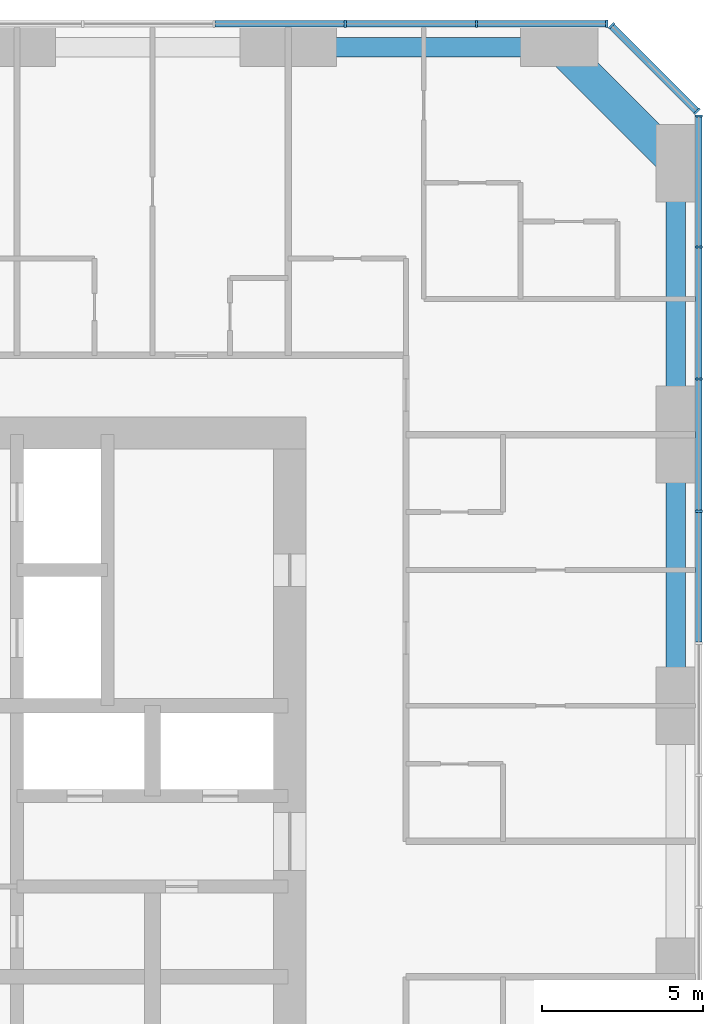
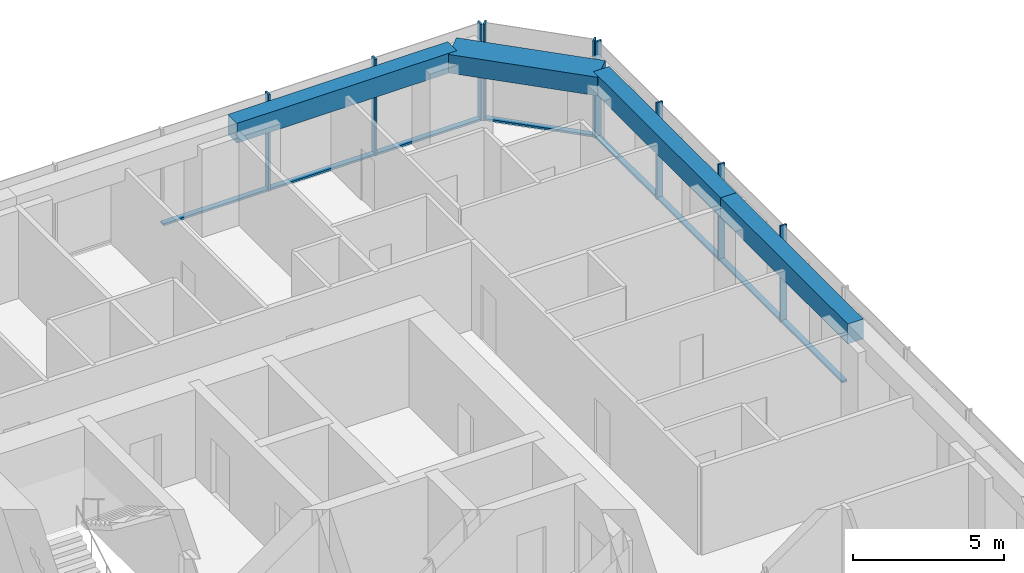
# One storey, part 5 of 13: 17 members, 4 beams, 3 elements without a shape of their own.
"""IFC4 building model written with IfcOpenShell, lengths in metres."""

from ifc_helpers import new_model, si_unit, direction, frame, origin, origin_2d, place, context, subcontext, project, spatial, rectangle, extrude, material, material_profile, profile_set, type_object, element, aggregate, save


model = new_model("IFC4")

# Units and contexts
model_context = context("Model", 3, precision=1e-05, world=origin(), true_north=direction((0.0, 1.0)))
body_context = subcontext(model_context, "Body", "Model", "MODEL_VIEW")
ifc_project = project(units=[si_unit("LENGTHUNIT", "METRE"), si_unit("AREAUNIT", "SQUARE_METRE"), si_unit("VOLUMEUNIT", "CUBIC_METRE"), si_unit("PLANEANGLEUNIT", "RADIAN"), si_unit("MASSUNIT", "GRAM", prefix="KILO")], contexts=[model_context])

# Site, building, storey
site_placement = place(None, origin())
site = spatial("IfcSite", under=ifc_project, at=site_placement, CompositionType="ELEMENT")
building_placement = place(site_placement, origin())
building = spatial("IfcBuilding", under=site, at=building_placement, Name="Dunama Terrace Hotel", CompositionType="ELEMENT")
storey_placement = place(building_placement, frame((0.0, 0.0, 225.60009765625)))
storey = spatial("IfcBuildingStorey", under=building, at=storey_placement, Name="L58", CompositionType="ELEMENT", Elevation=225.60009765625)

# Curtain wall, members
ifc_material_1 = material(Name="Aluminium curtain wall system", Category="aluminium")
curtain_wall_type = type_object("IfcCurtainWallType", Name="Unitised fritted glass wall CW-D", PredefinedType="NOTDEFINED", material=ifc_material_1)
curtain_wall_1_placement = place(storey_placement, origin())
curtain_wall_1 = element("IfcCurtainWall", 1, at=curtain_wall_1_placement, inside=storey, type_object=curtain_wall_type, Name="Unitised fritted glass wall CW-D L58", PredefinedType="NOTDEFINED")
ifc_material_2 = material(Name="Aluminium mullion", Category="aluminium")
ifc_material_profile_1 = material_profile(ifc_material_2, rectangle(XDim=0.070068359375, YDim=0.239990234375, at=origin_2d()), Name="CWD MULLION 70X240")
ifc_profile_set_1 = profile_set([ifc_material_profile_1], Name="Aluminium mullion")
member_type_1 = type_object("IfcMemberType", Name="CWD mullion 70x240", PredefinedType="MULLION", material=ifc_profile_set_1)
member_1_placement = place(storey_placement, frame((54.719970703125, 39.626953125, 0.0), z_axis=(0.0, 0.0, 1.0), x_axis=(0.0, 1.0, 0.0)))
member_1 = element("IfcMember", 2, at=member_1_placement, type_object=member_type_1, Name="CWD mullion", PredefinedType="MULLION", context=body_context, shape_type="SweptSolid", body=[
    extrude(rectangle(XDim=0.070068359375, YDim=0.239990234375, at=origin_2d()), origin(), (0.0, 0.0, 1.0), 3.89990234375),
])
member_2_placement = place(storey_placement, frame((54.719970703125, 43.718017578125, 0.0), z_axis=(0.0, 0.0, 1.0), x_axis=(0.0, 1.0, 0.0)))
member_2 = element("IfcMember", 3, at=member_2_placement, type_object=member_type_1, Name="CWD mullion", PredefinedType="MULLION", context=body_context, shape_type="SweptSolid", body=[
    extrude(rectangle(XDim=0.070068359375, YDim=0.239990234375, at=origin_2d()), origin(), (0.0, 0.0, 1.0), 3.89990234375),
])
member_3_placement = place(storey_placement, frame((54.719970703125, 47.80908203125, 0.0), z_axis=(0.0, 0.0, 1.0), x_axis=(0.0, 1.0, 0.0)))
member_3 = element("IfcMember", 4, at=member_3_placement, type_object=member_type_1, Name="CWD mullion", PredefinedType="MULLION", context=body_context, shape_type="SweptSolid", body=[
    extrude(rectangle(XDim=0.070068359375, YDim=0.239990234375, at=origin_2d()), origin(), (0.0, 0.0, 1.0), 3.89990234375),
])
member_4_placement = place(storey_placement, frame((54.719970703125, 51.864990234375, 0.0), z_axis=(0.0, 0.0, 1.0), x_axis=(0.0, 1.0, 0.0)))
member_4 = element("IfcMember", 5, at=member_4_placement, type_object=member_type_1, Name="CWD mullion", PredefinedType="MULLION", context=body_context, shape_type="SweptSolid", body=[
    extrude(rectangle(XDim=0.070068359375, YDim=0.239990234375, at=origin_2d()), origin(), (0.0, 0.0, 1.0), 3.89990234375),
])

curtain_wall_2_placement = place(storey_placement, origin())
curtain_wall_2 = element("IfcCurtainWall", 6, at=curtain_wall_2_placement, inside=storey, type_object=curtain_wall_type, Name="Unitised fritted glass wall CW-D L58", PredefinedType="NOTDEFINED")
member_5_placement = place(storey_placement, frame((54.659912109375, 52.010009765625, 0.0), z_axis=(0.0, 0.0, 1.0), x_axis=(-0.707106781187, 0.707106781187, 0.0)))
member_5 = element("IfcMember", 7, at=member_5_placement, type_object=member_type_1, Name="CWD mullion", PredefinedType="MULLION", context=body_context, shape_type="SweptSolid", body=[
    extrude(rectangle(XDim=0.070068359375, YDim=0.239990234375, at=origin_2d()), origin(), (0.0, 0.0, 1.0), 3.89990234375),
])
member_6_placement = place(storey_placement, frame((52.010009765625, 54.659912109375, 0.0), z_axis=(0.0, 0.0, 1.0), x_axis=(-0.707106781187, 0.707106781187, 0.0)))
member_6 = element("IfcMember", 8, at=member_6_placement, type_object=member_type_1, Name="CWD mullion", PredefinedType="MULLION", context=body_context, shape_type="SweptSolid", body=[
    extrude(rectangle(XDim=0.070068359375, YDim=0.239990234375, at=origin_2d()), origin(), (0.0, 0.0, 1.0), 3.89990234375),
])

curtain_wall_3_placement = place(storey_placement, origin())
curtain_wall_3 = element("IfcCurtainWall", 9, at=curtain_wall_3_placement, inside=storey, type_object=curtain_wall_type, Name="Unitised fritted glass wall CW-D L58", PredefinedType="NOTDEFINED")
member_7_placement = place(storey_placement, frame((51.864990234375, 54.719970703125, 0.0), z_axis=(0.0, 0.0, 1.0), x_axis=(-1.0, 0.0, 0.0)))
member_7 = element("IfcMember", 10, at=member_7_placement, type_object=member_type_1, Name="CWD mullion", PredefinedType="MULLION", context=body_context, shape_type="SweptSolid", body=[
    extrude(rectangle(XDim=0.070068359375, YDim=0.239990234375, at=origin_2d()), origin(), (0.0, 0.0, 1.0), 3.89990234375),
])
member_8_placement = place(storey_placement, frame((47.8330078125, 54.719970703125, 0.0), z_axis=(0.0, 0.0, 1.0), x_axis=(-1.0, 0.0, 0.0)))
member_8 = element("IfcMember", 11, at=member_8_placement, type_object=member_type_1, Name="CWD mullion", PredefinedType="MULLION", context=body_context, shape_type="SweptSolid", body=[
    extrude(rectangle(XDim=0.070068359375, YDim=0.239990234375, at=origin_2d()), origin(), (0.0, 0.0, 1.0), 3.89990234375),
])
member_9_placement = place(storey_placement, frame((43.76708984375, 54.719970703125, 0.0), z_axis=(0.0, 0.0, 1.0), x_axis=(-1.0, 0.0, 0.0)))
member_9 = element("IfcMember", 12, at=member_9_placement, type_object=member_type_1, Name="CWD mullion", PredefinedType="MULLION", context=body_context, shape_type="SweptSolid", body=[
    extrude(rectangle(XDim=0.070068359375, YDim=0.239990234375, at=origin_2d()), origin(), (0.0, 0.0, 1.0), 3.89990234375),
])

# Member
ifc_material_3 = material(Name="Aluminium transom", Category="aluminium")
ifc_material_profile_2 = material_profile(ifc_material_3, rectangle(XDim=0.199951171875, YDim=0.0849609375, at=origin_2d()), Name="CWD TRANSOM 200X85")
ifc_profile_set_2 = profile_set([ifc_material_profile_2], Name="Aluminium transom")
member_type_2 = type_object("IfcMemberType", Name="CWD transom 200x85", PredefinedType="USERDEFINED", material=ifc_profile_set_2)
member_10_placement = place(storey_placement, frame((54.719970703125, 35.571044921875, 0.04248046875), z_axis=(0.0, 1.0, 0.0), x_axis=(-1.0, 0.0, 0.0)))
member_10 = element("IfcMember", 13, at=member_10_placement, type_object=member_type_2, Name="CWD transom", ObjectType="TRANSOM", PredefinedType="USERDEFINED", context=body_context, shape_type="SweptSolid", body=[
    extrude(rectangle(XDim=0.199951171875, YDim=0.0849609375, at=origin_2d()), origin(), (0.0, 0.0, 1.0), 4.02099609375),
])

member_11_placement = place(storey_placement, frame((54.719970703125, 39.662109375, 0.04248046875), z_axis=(0.0, 1.0, 0.0), x_axis=(-1.0, 0.0, 0.0)))
member_11 = element("IfcMember", 14, at=member_11_placement, type_object=member_type_2, Name="CWD transom", ObjectType="TRANSOM", PredefinedType="USERDEFINED", context=body_context, shape_type="SweptSolid", body=[
    extrude(rectangle(XDim=0.199951171875, YDim=0.0849609375, at=origin_2d()), origin(), (0.0, 0.0, 1.0), 4.02099609375),
])

member_12_placement = place(storey_placement, frame((54.719970703125, 43.7529296875, 0.04248046875), z_axis=(0.0, 1.0, 0.0), x_axis=(-1.0, 0.0, 0.0)))
member_12 = element("IfcMember", 15, at=member_12_placement, type_object=member_type_2, Name="CWD transom", ObjectType="TRANSOM", PredefinedType="USERDEFINED", context=body_context, shape_type="SweptSolid", body=[
    extrude(rectangle(XDim=0.199951171875, YDim=0.0849609375, at=origin_2d()), origin(), (0.0, 0.0, 1.0), 4.02099609375),
])

member_13_placement = place(storey_placement, frame((54.719970703125, 47.843994140625, 0.04248046875), z_axis=(0.0, 1.0, 0.0), x_axis=(-1.0, 0.0, 0.0)))
member_13 = element("IfcMember", 16, at=member_13_placement, type_object=member_type_2, Name="CWD transom", ObjectType="TRANSOM", PredefinedType="USERDEFINED", context=body_context, shape_type="SweptSolid", body=[
    extrude(rectangle(XDim=0.199951171875, YDim=0.0849609375, at=origin_2d()), origin(), (0.0, 0.0, 1.0), 3.986083984375),
])

aggregate(curtain_wall_1, [member_1, member_2, member_3, member_4, member_10, member_11, member_12, member_13])

member_14_placement = place(storey_placement, frame((54.635009765625, 52.033935546875, 0.04248046875), z_axis=(-0.707106781187, 0.707106781187, 0.0), x_axis=(-0.707106781187, -0.707106781187, 0.0)))
member_14 = element("IfcMember", 17, at=member_14_placement, type_object=member_type_2, Name="CWD transom", ObjectType="TRANSOM", PredefinedType="USERDEFINED", context=body_context, shape_type="SweptSolid", body=[
    extrude(rectangle(XDim=0.199951171875, YDim=0.0849609375, at=origin_2d()), origin(), (0.0, 0.0, 1.0), 3.678466796875),
])

aggregate(curtain_wall_2, [member_5, member_6, member_14])

member_15_placement = place(storey_placement, frame((51.830078125, 54.719970703125, 0.04248046875), z_axis=(-1.0, 0.0, 0.0), x_axis=(0.0, -1.0, 0.0)))
member_15 = element("IfcMember", 18, at=member_15_placement, type_object=member_type_2, Name="CWD transom", ObjectType="TRANSOM", PredefinedType="USERDEFINED", context=body_context, shape_type="SweptSolid", body=[
    extrude(rectangle(XDim=0.199951171875, YDim=0.0849609375, at=origin_2d()), origin(), (0.0, 0.0, 1.0), 3.962158203125),
])

member_16_placement = place(storey_placement, frame((47.798095703125, 54.719970703125, 0.04248046875), z_axis=(-1.0, 0.0, 0.0), x_axis=(0.0, -1.0, 0.0)))
member_16 = element("IfcMember", 19, at=member_16_placement, type_object=member_type_2, Name="CWD transom", ObjectType="TRANSOM", PredefinedType="USERDEFINED", context=body_context, shape_type="SweptSolid", body=[
    extrude(rectangle(XDim=0.199951171875, YDim=0.0849609375, at=origin_2d()), origin(), (0.0, 0.0, 1.0), 3.99609375),
])

member_17_placement = place(storey_placement, frame((43.73193359375, 54.719970703125, 0.04248046875), z_axis=(-1.0, 0.0, 0.0), x_axis=(0.0, -1.0, 0.0)))
member_17 = element("IfcMember", 20, at=member_17_placement, type_object=member_type_2, Name="CWD transom", ObjectType="TRANSOM", PredefinedType="USERDEFINED", context=body_context, shape_type="SweptSolid", body=[
    extrude(rectangle(XDim=0.199951171875, YDim=0.0849609375, at=origin_2d()), origin(), (0.0, 0.0, 1.0), 3.996826171875),
])

aggregate(curtain_wall_3, [member_7, member_8, member_9, member_15, member_16, member_17])

# Beams
ifc_material_4 = material(Name="Concrete C50/60", Category="concrete")
ifc_material_profile_3 = material_profile(ifc_material_4, rectangle(XDim=1.0, YDim=0.75, at=origin_2d()), Name="RC 1000x750")
ifc_profile_set_3 = profile_set([ifc_material_profile_3], Name="Concrete C50/60")
beam_type_1 = type_object("IfcBeamType", Name="Edge beam RC 1000x750", PredefinedType="SPANDREL", material=ifc_profile_set_3)
beam_placement = place(storey_placement, frame((50.39990234375, 54.0, 3.52490234375), z_axis=(0.707106781187, -0.707106781187, 0.0), x_axis=(0.707106781187, 0.707106781187, 0.0)))
element("IfcBeam", 21, at=beam_placement, inside=storey, type_object=beam_type_1, Name="Corner edge beam under L59", PredefinedType="SPANDREL", context=body_context, shape_type="SweptSolid", body=[
    extrude(rectangle(XDim=1.0, YDim=0.75, at=origin_2d()), origin(), (0.0, 0.0, 1.0), 5.09130859375),
])
ifc_material_5 = material(Name="Concrete C40/50", Category="concrete")
ifc_material_profile_4 = material_profile(ifc_material_5, rectangle(XDim=0.60009765625, YDim=0.800048828125, at=origin_2d()), Name="RC 600x800")
ifc_profile_set_4 = profile_set([ifc_material_profile_4], Name="Concrete C40/50")
beam_type_2 = type_object("IfcBeamType", Name="Edge beam RC 600x800", PredefinedType="SPANDREL", material=ifc_profile_set_4)
for number, where, z_axis, x_axis, name in (
    (22, (54.0, 33.60009765625, 3.5), (0.0, 1.0, 0.0), (-1.0, 0.0, 0.0), "Edge beam under L59"),
    (23, (54.0, 42.0, 3.5), (0.0, 1.0, 0.0), (-1.0, 0.0, 0.0), "Edge beam under L59"),
    (24, (42.0, 54.0, 3.5), (1.0, 0.0, 0.0), (0.0, 1.0, 0.0), "Edge beam under L59"),
):
    element("IfcBeam", number, at=place(storey_placement, frame(where, z_axis=z_axis, x_axis=x_axis)), inside=storey, type_object=beam_type_2, Name=name, PredefinedType="SPANDREL", context=body_context, shape_type="SweptSolid", body=[
        extrude(rectangle(XDim=0.60009765625, YDim=0.800048828125, at=origin_2d()), origin(), (0.0, 0.0, 1.0), 8.39990234375),
    ])

save(model, "model.ifc")
